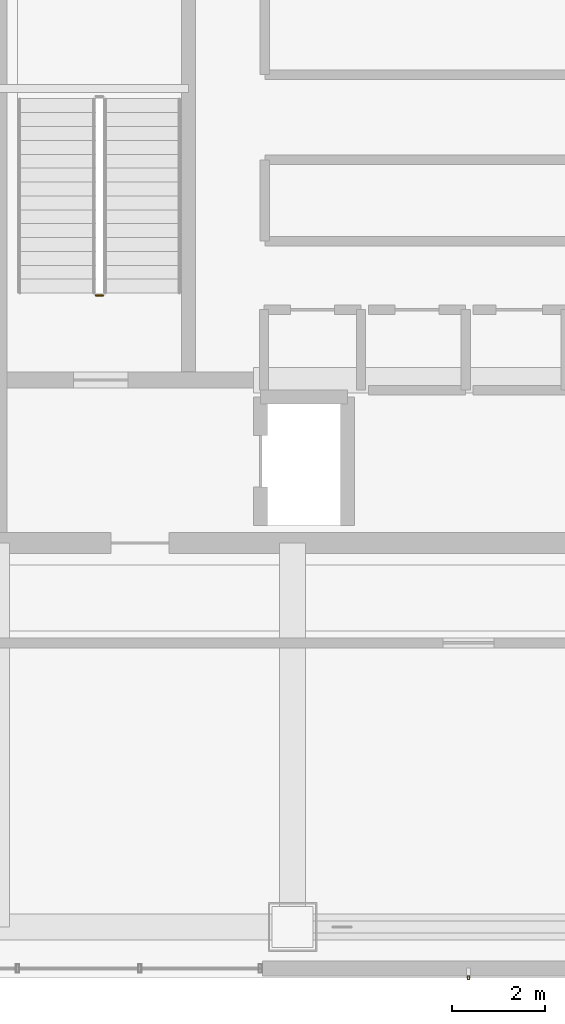
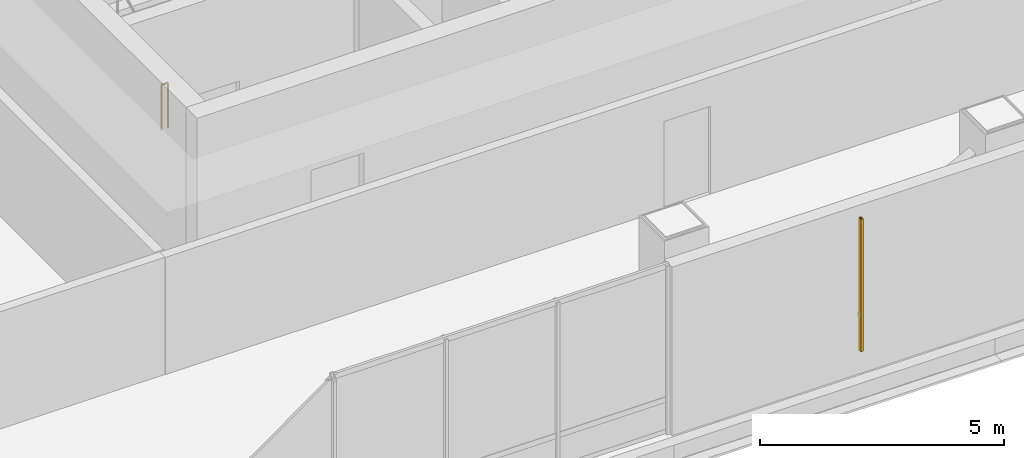
# One storey, part 31 of 33: 1 railing, 1 shading device.
"""IFC4 building model written with IfcOpenShell, lengths in metres."""

from ifc_helpers import new_model, si_unit, direction, frame, origin, origin_2d, place, context, subcontext, project, spatial, hollow_rectangle, circle, extrude, material, material_profile, profile_set, type_object, element, save


model = new_model("IFC4")

# Units and contexts
model_context = context("Model", 3, precision=1e-05, world=origin(), true_north=direction((0.0, 1.0)))
body_context = subcontext(model_context, "Body", "Model", "MODEL_VIEW")
ifc_project = project(units=[si_unit("LENGTHUNIT", "METRE"), si_unit("AREAUNIT", "SQUARE_METRE"), si_unit("VOLUMEUNIT", "CUBIC_METRE"), si_unit("PLANEANGLEUNIT", "RADIAN"), si_unit("MASSUNIT", "GRAM", prefix="KILO")], contexts=[model_context])

# Site, building, storey
site_placement = place(None, origin())
site = spatial("IfcSite", under=ifc_project, at=site_placement, CompositionType="ELEMENT")
building_placement = place(site_placement, origin())
building = spatial("IfcBuilding", under=site, at=building_placement, Name="Punatoya Terracotta Tower", CompositionType="ELEMENT")
storey_placement = place(building_placement, frame((0.0, 0.0, 348.300048828125)))
storey = spatial("IfcBuildingStorey", under=building, at=storey_placement, Name="L82", CompositionType="ELEMENT", Elevation=348.300048828125)

# Railing
ifc_material_1 = material(Name="Steel S355", Category="steel")
railing_type = type_object("IfcRailingType", Name="RLG-GRD-1150", PredefinedType="GUARDRAIL", material=ifc_material_1)
railing_placement = place(storey_placement, frame((-7.89990234375, -3.85009765625, 0.0)))
element("IfcRailing", 1, at=railing_placement, inside=storey, type_object=railing_type, Name="L82 ST-1 stair guard 4", PredefinedType="GUARDRAIL", context=body_context, shape_type="SweptSolid", body=[
    extrude(circle(Radius=0.02392578125, at=origin_2d()), frame((0.0, 0.0, 1.1259765625), z_axis=(-1.0, 0.0, 0.0), x_axis=(0.0, -1.0, 0.0)), (0.0, 0.0, 1.0), 0.150146484375),
    extrude(circle(Radius=0.02099609375, at=origin_2d()), origin(), (0.0, 0.0, 1.0), 1.101806640625),
    extrude(circle(Radius=0.02099609375, at=origin_2d()), frame((-0.150146484375, 0.0, 0.0)), (0.0, 0.0, 1.0), 1.101806640625),
])

# Shading device
ifc_material_2 = material(Name="Architectural Fired Terracotta", Category="masonry")
ifc_material_profile = material_profile(ifc_material_2, hollow_rectangle(XDim=0.06005859375, YDim=0.090087890625, WallThickness=0.013916015625, at=origin_2d()))
ifc_profile_set = profile_set([ifc_material_profile], Name="Architectural Fired Terracotta")
shading_device_type = type_object("IfcShadingDeviceType", Name="SHD-JALI-90", PredefinedType="JALOUSIE", material=ifc_profile_set)
shading_device_placement = place(storey_placement, frame((0.0, -18.60009765625, 0.599853515625), z_axis=(0.0, 0.0, 1.0), x_axis=(1.0, 0.0, 0.0)))
element("IfcShadingDevice", 2, at=shading_device_placement, inside=storey, type_object=shading_device_type, Name="L82 Braced Bay Terracotta Jali Fin S1", PredefinedType="JALOUSIE", context=body_context, shape_type="SweptSolid", body=[
    extrude(hollow_rectangle(XDim=0.06005859375, YDim=0.090087890625, WallThickness=0.013916015625, at=origin_2d()), origin(), (0.0, 0.0, 1.0), 3.320068359375),
])

save(model, "model.ifc")
